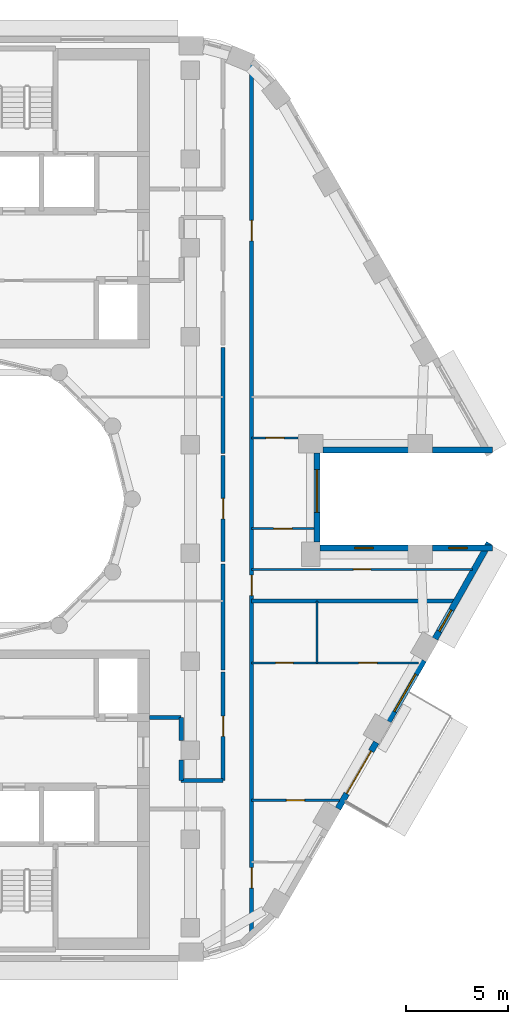
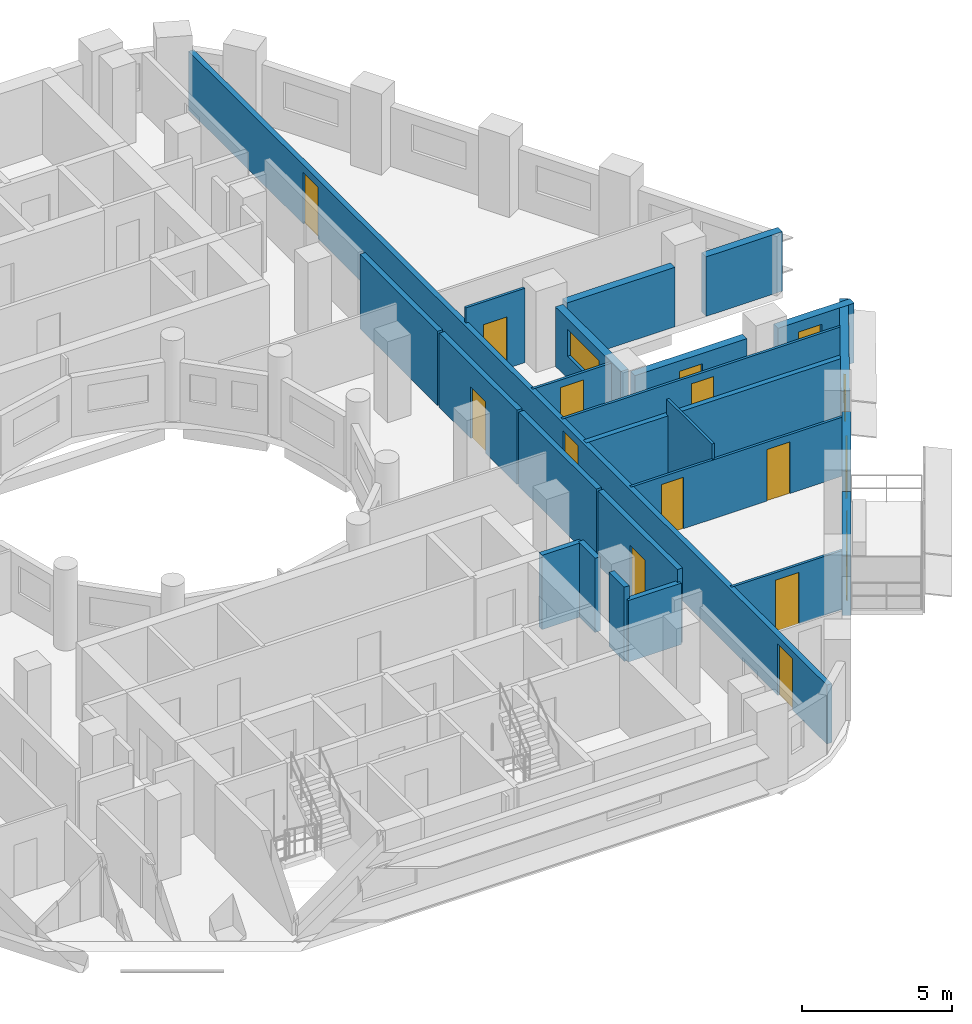
# One storey, part 6 of 15: 24 walls, 12 doors, 5 windows, 17 openings.
"""IFC4 building model written with IfcOpenShell, lengths in metres."""

from ifc_helpers import new_model, si_unit, direction, frame, frame_2d, origin, place, context, subcontext, project, spatial, rectangle, extrude, material, layer, layer_set, type_object, element, fill, save


model = new_model("IFC4")

# Units and contexts
model_context = context("Model", 3, precision=1e-05, world=origin(), true_north=direction((0.0, 1.0)))
body_context = subcontext(model_context, "Body", "Model", "MODEL_VIEW")
ifc_project = project(units=[si_unit("LENGTHUNIT", "METRE"), si_unit("AREAUNIT", "SQUARE_METRE"), si_unit("VOLUMEUNIT", "CUBIC_METRE"), si_unit("PLANEANGLEUNIT", "RADIAN"), si_unit("MASSUNIT", "GRAM", prefix="KILO")], contexts=[model_context])

# Site, building, storey
site_placement = place(None, origin())
site = spatial("IfcSite", under=ifc_project, at=site_placement, CompositionType="ELEMENT")
building_placement = place(site_placement, origin())
building = spatial("IfcBuilding", under=site, at=building_placement, Name="Nakaniwa Court", CompositionType="ELEMENT")
storey_placement = place(building_placement, frame((0.0, 0.0, 189.89990234375)))
storey = spatial("IfcBuildingStorey", under=building, at=storey_placement, Name="L49", CompositionType="ELEMENT", Elevation=189.89990234375)

# Wall, opening, door
ifc_material_1 = material(Name="Acoustic double stud partition")
ifc_layer_1 = layer(ifc_material_1, 0.199951171875)
ifc_layer_set_1 = layer_set([ifc_layer_1], Name="Acoustic double stud partition")
wall_type_1 = type_object("IfcWallType", Name="Acoustic double stud partition 200", PredefinedType="PARTITIONING", material=ifc_layer_set_1)
wall_1_placement = place(storey_placement, frame((91.60009765625, 66.22509765625, 0.0), z_axis=(0.0, 0.0, 1.0), x_axis=(0.0, 1.0, 0.0)))
wall_1 = element("IfcWall", 1, at=wall_1_placement, inside=storey, type_object=wall_type_1, Name="Partition PW-068", PredefinedType="PARTITIONING", context=body_context, shape_type="SweptSolid", body=[
    extrude(rectangle(XDim=5.297607421875, YDim=0.199951171875, at=frame_2d((2.64892578125, 0.0))), origin(), (0.0, 0.0, 1.0), 3.025146484375),
])
opening_1_placement = place(wall_1_placement, frame((2.14794921875, 0.0, 0.0)))
opening_1 = element("IfcOpeningElement", 2, at=opening_1_placement, cuts=wall_1, Name="Opening D-02-02", PredefinedType="OPENING", context=body_context, shape_type="SweptSolid", body=[
    extrude(rectangle(XDim=1.0, YDim=2.10009765625, at=frame_2d((0.5, 1.050048828125))), frame((0.0, 0.10986328125, 0.0), z_axis=(0.0, -1.0, 0.0), x_axis=(1.0, 0.0, 0.0)), (0.0, 0.0, 1.0), 0.219970703125),
])
ifc_material_2 = material(Name="Solid core timber door set, black veneer", Category="wood")
door_type_1 = type_object("IfcDoorType", Name="Internal door 1000", OperationType="NOTDEFINED", PredefinedType="DOOR", material=ifc_material_2)
door_1_placement = place(opening_1_placement, origin())
door_1 = element("IfcDoor", 3, at=door_1_placement, inside=storey, type_object=door_type_1, Name="Door D-02-02 L49-029", OperationType="SINGLE_SWING_RIGHT", OverallHeight=2.10009765625, OverallWidth=1.0, PredefinedType="DOOR", context=body_context, shape_type="SweptSolid", body=[
    extrude(rectangle(XDim=1.0, YDim=2.10009765625, at=frame_2d((0.5, 1.050048828125))), frame((0.0, 0.02490234375, 0.0), z_axis=(0.0, -1.0, 0.0), x_axis=(1.0, 0.0, 0.0)), (0.0, 0.0, 1.0), 0.050048828125),
])
fill(opening_1, door_1)

# Wall
wall_2_placement = place(storey_placement, frame((91.60009765625, 71.63720703125, 0.0), z_axis=(0.0, 0.0, 1.0), x_axis=(0.0, 1.0, 0.0)))
element("IfcWall", 4, at=wall_2_placement, inside=storey, type_object=wall_type_1, Name="Partition PW-069", PredefinedType="PARTITIONING", context=body_context, shape_type="SweptSolid", body=[
    extrude(rectangle(XDim=5.185546875, YDim=0.199951171875, at=frame_2d((2.5927734375, 0.0))), origin(), (0.0, 0.0, 1.0), 3.025146484375),
])

# Wall, opening, door
wall_3_placement = place(storey_placement, frame((91.60009765625, 76.937255859375, 0.0), z_axis=(0.0, 0.0, 1.0), x_axis=(0.0, 1.0, 0.0)))
wall_3 = element("IfcWall", 5, at=wall_3_placement, inside=storey, type_object=wall_type_1, Name="Partition PW-070", PredefinedType="PARTITIONING", context=body_context, shape_type="SweptSolid", body=[
    extrude(rectangle(XDim=5.185546875, YDim=0.199951171875, at=frame_2d((2.5927734375, 0.0))), origin(), (0.0, 0.0, 1.0), 3.025146484375),
])
opening_2_placement = place(wall_3_placement, frame((2.093017578125, 0.0, 0.0)))
opening_2 = element("IfcOpeningElement", 6, at=opening_2_placement, cuts=wall_3, Name="Opening D-02-03", PredefinedType="OPENING", context=body_context, shape_type="SweptSolid", body=[
    extrude(rectangle(XDim=1.0, YDim=2.10009765625, at=frame_2d((0.5, 1.050048828125))), frame((0.0, 0.10986328125, 0.0), z_axis=(0.0, -1.0, 0.0), x_axis=(1.0, 0.0, 0.0)), (0.0, 0.0, 1.0), 0.219970703125),
])
door_2_placement = place(opening_2_placement, origin())
door_2 = element("IfcDoor", 7, at=door_2_placement, inside=storey, type_object=door_type_1, Name="Door D-02-03 L49-030", OperationType="SINGLE_SWING_LEFT", OverallHeight=2.10009765625, OverallWidth=1.0, PredefinedType="DOOR", context=body_context, shape_type="SweptSolid", body=[
    extrude(rectangle(XDim=1.0, YDim=2.10009765625, at=frame_2d((0.5, 1.050048828125))), frame((0.0, 0.02490234375, 0.0), z_axis=(0.0, -1.0, 0.0), x_axis=(1.0, 0.0, 0.0)), (0.0, 0.0, 1.0), 0.050048828125),
])
fill(opening_2, door_2)

# Wall
wall_4_placement = place(storey_placement, frame((91.60009765625, 82.2373046875, 0.0), z_axis=(0.0, 0.0, 1.0), x_axis=(0.0, 1.0, 0.0)))
element("IfcWall", 8, at=wall_4_placement, inside=storey, type_object=wall_type_1, Name="Partition PW-071", PredefinedType="PARTITIONING", context=body_context, shape_type="SweptSolid", body=[
    extrude(rectangle(XDim=5.185546875, YDim=0.199951171875, at=frame_2d((2.5927734375, 0.0))), origin(), (0.0, 0.0, 1.0), 3.025146484375),
])

# Wall, openings, doors
wall_5_placement = place(storey_placement, frame((93.0, 101.28076171875, 0.0), z_axis=(0.0, 0.0, 1.0), x_axis=(0.0, -1.0, 0.0)))
wall_5 = element("IfcWall", 9, at=wall_5_placement, inside=storey, type_object=wall_type_1, Name="Partition PW-078", PredefinedType="PARTITIONING", context=body_context, shape_type="SweptSolid", body=[
    extrude(rectangle(XDim=42.6064453125, YDim=0.199951171875, at=frame_2d((21.30322265625, 0.0))), origin(), (0.0, 0.0, 1.0), 2.405029296875),
])
opening_3_placement = place(wall_5_placement, frame((39.330078125, 0.0, 0.0)))
opening_3 = element("IfcOpeningElement", 10, at=opening_3_placement, cuts=wall_5, Name="Opening D-01-01", PredefinedType="OPENING", context=body_context, shape_type="SweptSolid", body=[
    extrude(rectangle(XDim=1.0, YDim=2.10009765625, at=frame_2d((0.5, 1.050048828125))), frame((0.0, 0.10986328125, 0.0), z_axis=(0.0, -1.0, 0.0), x_axis=(1.0, 0.0, 0.0)), (0.0, 0.0, 1.0), 0.219970703125),
])
opening_4_placement = place(wall_5_placement, frame((25.0048828125, 0.0, 0.0)))
opening_4 = element("IfcOpeningElement", 11, at=opening_4_placement, cuts=wall_5, Name="Opening D-01-02", PredefinedType="OPENING", context=body_context, shape_type="SweptSolid", body=[
    extrude(rectangle(XDim=1.0, YDim=2.10009765625, at=frame_2d((0.5, 1.050048828125))), frame((0.0, 0.10986328125, 0.0), z_axis=(0.0, -1.0, 0.0), x_axis=(1.0, 0.0, 0.0)), (0.0, 0.0, 1.0), 0.219970703125),
])
opening_5_placement = place(wall_5_placement, frame((7.64306640625, 0.0, 0.0)))
opening_5 = element("IfcOpeningElement", 12, at=opening_5_placement, cuts=wall_5, Name="Opening D-02-04", PredefinedType="OPENING", context=body_context, shape_type="SweptSolid", body=[
    extrude(rectangle(XDim=1.0, YDim=2.10009765625, at=frame_2d((0.5, 1.050048828125))), frame((0.0, 0.10986328125, 0.0), z_axis=(0.0, -1.0, 0.0), x_axis=(1.0, 0.0, 0.0)), (0.0, 0.0, 1.0), 0.219970703125),
])
door_type_2 = type_object("IfcDoorType", Name="Flat entrance door 1000", OperationType="NOTDEFINED", PredefinedType="DOOR", material=ifc_material_2)
door_3_placement = place(opening_3_placement, origin())
door_3 = element("IfcDoor", 13, at=door_3_placement, inside=storey, type_object=door_type_2, Name="Door D-01-01 L49-024", OperationType="SINGLE_SWING_LEFT", OverallHeight=2.10009765625, OverallWidth=1.0, PredefinedType="DOOR", context=body_context, shape_type="SweptSolid", body=[
    extrude(rectangle(XDim=1.0, YDim=2.10009765625, at=frame_2d((0.5, 1.050048828125))), frame((0.0, 0.02490234375, 0.0), z_axis=(0.0, -1.0, 0.0), x_axis=(1.0, 0.0, 0.0)), (0.0, 0.0, 1.0), 0.050048828125),
])
fill(opening_3, door_3)
door_4_placement = place(opening_4_placement, origin())
door_4 = element("IfcDoor", 14, at=door_4_placement, inside=storey, type_object=door_type_2, Name="Door D-01-02 L49-031", OperationType="SINGLE_SWING_RIGHT", OverallHeight=2.10009765625, OverallWidth=1.0, PredefinedType="DOOR", context=body_context, shape_type="SweptSolid", body=[
    extrude(rectangle(XDim=1.0, YDim=2.10009765625, at=frame_2d((0.5, 1.050048828125))), frame((0.0, 0.02490234375, 0.0), z_axis=(0.0, -1.0, 0.0), x_axis=(1.0, 0.0, 0.0)), (0.0, 0.0, 1.0), 0.050048828125),
])
fill(opening_4, door_4)
door_5_placement = place(opening_5_placement, origin())
door_5 = element("IfcDoor", 15, at=door_5_placement, inside=storey, type_object=door_type_1, Name="Door D-02-04 L49-035", OperationType="SINGLE_SWING_RIGHT", OverallHeight=2.10009765625, OverallWidth=1.0, PredefinedType="DOOR", context=body_context, shape_type="SweptSolid", body=[
    extrude(rectangle(XDim=1.0, YDim=2.10009765625, at=frame_2d((0.5, 1.050048828125))), frame((0.0, 0.02490234375, 0.0), z_axis=(0.0, -1.0, 0.0), x_axis=(1.0, 0.0, 0.0)), (0.0, 0.0, 1.0), 0.050048828125),
])
fill(opening_5, door_5)

# Walls
wall_6_placement = place(storey_placement, frame((88.0, 69.300048828125, 0.0), z_axis=(0.0, 0.0, 1.0), x_axis=(1.0, 0.0, 0.0)))
element("IfcWall", 16, at=wall_6_placement, inside=storey, type_object=wall_type_1, Name="Partition PW-080", PredefinedType="PARTITIONING", context=body_context, shape_type="SweptSolid", body=[
    extrude(rectangle(XDim=1.550048828125, YDim=0.199951171875, at=frame_2d((0.77490234375, 0.0))), origin(), (0.0, 0.0, 1.0), 3.025146484375),
])
wall_7_placement = place(storey_placement, frame((89.550048828125, 66.22509765625, 0.0), z_axis=(0.0, 0.0, 1.0), x_axis=(0.0, 1.0, 0.0)))
element("IfcWall", 17, at=wall_7_placement, inside=storey, type_object=wall_type_1, Name="Partition PW-081", PredefinedType="PARTITIONING", context=body_context, shape_type="SweptSolid", body=[
    extrude(rectangle(XDim=1.0078125, YDim=0.199951171875, at=frame_2d((0.50390625, 0.0))), origin(), (0.0, 0.0, 1.0), 3.025146484375),
])
wall_8_placement = place(storey_placement, frame((89.550048828125, 68.167236328125, 0.0), z_axis=(0.0, 0.0, 1.0), x_axis=(0.0, 1.0, 0.0)))
element("IfcWall", 18, at=wall_8_placement, inside=storey, type_object=wall_type_1, Name="Partition PW-082", PredefinedType="PARTITIONING", context=body_context, shape_type="SweptSolid", body=[
    extrude(rectangle(XDim=1.1328125, YDim=0.199951171875, at=frame_2d((0.56640625, 0.0))), origin(), (0.0, 0.0, 1.0), 3.025146484375),
])
wall_9_placement = place(storey_placement, frame((89.550048828125, 66.22509765625, 0.0), z_axis=(0.0, 0.0, 1.0), x_axis=(1.0, 0.0, 0.0)))
element("IfcWall", 19, at=wall_9_placement, inside=storey, type_object=wall_type_1, Name="Partition PW-086", PredefinedType="PARTITIONING", context=body_context, shape_type="SweptSolid", body=[
    extrude(rectangle(XDim=2.050048828125, YDim=0.199951171875, at=frame_2d((1.02490234375, 0.0))), origin(), (0.0, 0.0, 1.0), 2.505126953125),
])
wall_10_placement = place(storey_placement, frame((93.001220703125, 75.0, 0.0), z_axis=(0.0, 0.0, 1.0), x_axis=(1.0, 0.0, 0.0)))
element("IfcWall", 20, at=wall_10_placement, inside=storey, type_object=wall_type_1, Name="Partition PW-116", PredefinedType="PARTITIONING", context=body_context, shape_type="SweptSolid", body=[
    extrude(rectangle(XDim=9.91943359375, YDim=0.199951171875, at=frame_2d((4.959716796875, 0.0))), origin(), (0.0, 0.0, 1.0), 2.405029296875),
])
ifc_material_3 = material(Name="Charcoal ceramic cladding")
ifc_layer_2 = layer(ifc_material_3, 0.02, Name="Ceramic cladding")
ifc_material_4 = material(Name="Ventilated air cavity")
ifc_layer_3 = layer(ifc_material_4, 0.04, ventilated=True, Name="Ventilated cavity")
ifc_material_5 = material(Name="Mineral wool insulation")
ifc_layer_4 = layer(ifc_material_5, 0.1, Name="Insulation")
ifc_material_6 = material(Name="Cement bonded sheathing board")
ifc_layer_5 = layer(ifc_material_6, 0.012, Name="Sheathing")
ifc_material_7 = material(Name="Cold-formed galvanised stud frame with mineral wool infill")
ifc_layer_6 = layer(ifc_material_7, 0.1, Name="Stud frame")
ifc_material_8 = material(Name="Fire-rated gypsum plasterboard lining")
ifc_layer_7 = layer(ifc_material_8, 0.028, Name="Lining")
ifc_layer_set_2 = layer_set([ifc_layer_2, ifc_layer_3, ifc_layer_4, ifc_layer_5, ifc_layer_6, ifc_layer_7], Name="Charcoal ceramic faced external wall system")
wall_type_2 = type_object("IfcWallType", Name="Black ceramic faced external wall 300", PredefinedType="SOLIDWALL", material=ifc_layer_set_2)
wall_11_placement = place(storey_placement, frame((96.49560546875, 82.39990234375, 0.0), z_axis=(0.0, 0.0, 1.0), x_axis=(1.0, 0.0, 0.0)))
element("IfcWall", 21, at=wall_11_placement, inside=storey, type_object=wall_type_2, Name="L49 external wall 00", PredefinedType="SOLIDWALL", context=body_context, shape_type="SweptSolid", body=[
    extrude(rectangle(XDim=4.17236328125, YDim=0.300048828125, at=frame_2d((2.086181640625, 0.0))), origin(), (0.0, 0.0, 1.0), 2.425048828125),
])
wall_12_placement = place(storey_placement, frame((101.860107421875, 82.39990234375, 0.0), z_axis=(0.0, 0.0, 1.0), x_axis=(1.0, 0.0, 0.0)))
element("IfcWall", 22, at=wall_12_placement, inside=storey, type_object=wall_type_2, Name="L49 external wall 01", PredefinedType="SOLIDWALL", context=body_context, shape_type="SweptSolid", body=[
    extrude(rectangle(XDim=2.937744140625, YDim=0.300048828125, at=frame_2d((1.46875, 0.0))), origin(), (0.0, 0.0, 1.0), 2.425048828125),
])

# Wall, opening, door
wall_13_placement = place(storey_placement, frame((97.22900390625, 64.841552734375, 0.0), z_axis=(0.0, 0.0, 1.0), x_axis=(0.500059225181, 0.86599120741, 0.0)))
wall_13 = element("IfcWall", 23, at=wall_13_placement, inside=storey, type_object=wall_type_2, Name="L49 external wall 30", PredefinedType="SOLIDWALL", context=body_context, shape_type="SweptSolid", body=[
    extrude(rectangle(XDim=3.744140625, YDim=0.300048828125, at=frame_2d((1.8720703125, 0.0))), origin(), (0.0, 0.0, 1.0), 2.425048828125),
])
opening_6_placement = place(wall_13_placement, frame((0.847412109375, 0.0, 0.0)))
opening_6 = element("IfcOpeningElement", 24, at=opening_6_placement, cuts=wall_13, Name="Opening XD13.02", PredefinedType="OPENING", context=body_context, shape_type="SweptSolid", body=[
    extrude(rectangle(XDim=2.39990234375, YDim=2.0, at=frame_2d((1.199951171875, 1.0))), frame((0.0, 0.159912109375, 0.0), z_axis=(0.0, -1.0, 0.0), x_axis=(1.0, 0.0, 0.0)), (0.0, 0.0, 1.0), 0.320068359375),
])
ifc_material_9 = material(Name="Black powder-coated aluminium frame with dark laminated glass", Category="aluminium")
door_type_3 = type_object("IfcDoorType", Name="Balcony sliding door 2400x2000", OperationType="DOUBLE_DOOR_SLIDING", PredefinedType="DOOR", material=ifc_material_9)
door_6_placement = place(opening_6_placement, origin())
door_6 = element("IfcDoor", 25, at=door_6_placement, inside=storey, type_object=door_type_3, Name="L49 balcony sliding door 02", OperationType="DOUBLE_DOOR_SLIDING", OverallHeight=2.0, OverallWidth=2.39990234375, PredefinedType="DOOR", context=body_context, shape_type="SweptSolid", body=[
    extrude(rectangle(XDim=2.39990234375, YDim=2.0, at=frame_2d((1.199951171875, 1.0))), frame((0.0, 0.02490234375, 0.0), z_axis=(0.0, -1.0, 0.0), x_axis=(1.0, 0.0, 0.0)), (0.0, 0.0, 1.0), 0.050048828125),
])
fill(opening_6, door_6)

# Wall, opening, window
wall_14_placement = place(storey_placement, frame((99.697265625, 69.116455078125, 0.0), z_axis=(0.0, 0.0, 1.0), x_axis=(0.499955427682, 0.866051136095, 0.0)))
wall_14 = element("IfcWall", 26, at=wall_14_placement, inside=storey, type_object=wall_type_2, Name="L49 external wall 31", PredefinedType="SOLIDWALL", context=body_context, shape_type="SweptSolid", body=[
    extrude(rectangle(XDim=3.447021484375, YDim=0.300048828125, at=frame_2d((1.7236328125, 0.0))), origin(), (0.0, 0.0, 1.0), 2.425048828125),
])
opening_7_placement = place(wall_14_placement, frame((0.56298828125, 0.0, 0.89990234375)))
opening_7 = element("IfcOpeningElement", 27, at=opening_7_placement, cuts=wall_14, Name="Opening W7.31", PredefinedType="OPENING", context=body_context, shape_type="SweptSolid", body=[
    extrude(rectangle(XDim=2.10009765625, YDim=1.10009765625, at=frame_2d((1.050048828125, 0.550048828125))), frame((0.0, 0.159912109375, 0.0), z_axis=(0.0, -1.0, 0.0), x_axis=(1.0, 0.0, 0.0)), (0.0, 0.0, 1.0), 0.320068359375),
])
ifc_material_10 = material(Name="Black anodised aluminium frame with dark low-E laminated double glazing", Category="aluminium")
window_type_1 = type_object("IfcWindowType", Name="Dark glass window 2100x1100 sill 900", PartitioningType="SINGLE_PANEL", PredefinedType="WINDOW", material=ifc_material_10)
window_1_placement = place(opening_7_placement, origin())
window_1 = element("IfcWindow", 28, at=window_1_placement, inside=storey, type_object=window_type_1, Name="L49 living window 31-0", OverallHeight=1.10009765625, OverallWidth=2.10009765625, PartitioningType="SINGLE_PANEL", PredefinedType="WINDOW", context=body_context, shape_type="SweptSolid", body=[
    extrude(rectangle(XDim=2.10009765625, YDim=1.10009765625, at=frame_2d((1.050048828125, 0.550048828125))), frame((0.0, 0.030029296875, 0.0), z_axis=(0.0, -1.0, 0.0), x_axis=(1.0, 0.0, 0.0)), (0.0, 0.0, 1.0), 0.06005859375),
])
fill(opening_7, window_1)

wall_15_placement = place(storey_placement, frame((101.976806640625, 73.156982421875, 0.0), z_axis=(0.0, 0.0, 1.0), x_axis=(0.492033360928, 0.870576344575, 0.0)))
wall_15 = element("IfcWall", 29, at=wall_15_placement, inside=storey, type_object=wall_type_2, Name="L49 external wall 32", PredefinedType="SOLIDWALL", context=body_context, shape_type="SweptSolid", body=[
    extrude(rectangle(XDim=5.38671875, YDim=0.300048828125, at=frame_2d((2.693359375, 0.0))), origin(), (0.0, 0.0, 1.0), 2.425048828125),
])
opening_8_placement = place(wall_15_placement, frame((0.42333984375, 0.0, 0.89990234375)))
opening_8 = element("IfcOpeningElement", 30, at=opening_8_placement, cuts=wall_15, Name="Opening W6.32", PredefinedType="OPENING", context=body_context, shape_type="SweptSolid", body=[
    extrude(rectangle(XDim=1.199951171875, YDim=1.10009765625, at=frame_2d((0.60009765625, 0.550048828125))), frame((0.0, 0.159912109375, 0.0), z_axis=(0.0, -1.0, 0.0), x_axis=(1.0, 0.0, 0.0)), (0.0, 0.0, 1.0), 0.320068359375),
])
window_type_2 = type_object("IfcWindowType", Name="Dark glass window 1200x1100 sill 900", PartitioningType="SINGLE_PANEL", PredefinedType="WINDOW", material=ifc_material_10)
window_2_placement = place(opening_8_placement, origin())
window_2 = element("IfcWindow", 31, at=window_2_placement, inside=storey, type_object=window_type_2, Name="L49 habitable room window 32-0", OverallHeight=1.10009765625, OverallWidth=1.199951171875, PartitioningType="SINGLE_PANEL", PredefinedType="WINDOW", context=body_context, shape_type="SweptSolid", body=[
    extrude(rectangle(XDim=1.199951171875, YDim=1.10009765625, at=frame_2d((0.60009765625, 0.550048828125))), frame((0.0, 0.030029296875, 0.0), z_axis=(0.0, -1.0, 0.0), x_axis=(1.0, 0.0, 0.0)), (0.0, 0.0, 1.0), 0.06005859375),
])
fill(opening_8, window_2)

wall_16_placement = place(storey_placement, frame((104.7978515625, 77.60009765625, 0.0), z_axis=(0.0, 0.0, 1.0), x_axis=(-1.0, 0.0, 0.0)))
wall_16 = element("IfcWall", 32, at=wall_16_placement, inside=storey, type_object=wall_type_2, Name="L49 external wall 33", PredefinedType="SOLIDWALL", context=body_context, shape_type="SweptSolid", body=[
    extrude(rectangle(XDim=2.937744140625, YDim=0.300048828125, at=frame_2d((1.46875, 0.0))), origin(), (0.0, 0.0, 1.0), 2.425048828125),
])
opening_9_placement = place(wall_16_placement, frame((1.243896484375, 0.0, 1.5)))
opening_9 = element("IfcOpeningElement", 33, at=opening_9_placement, cuts=wall_16, Name="Opening W10.33", PredefinedType="OPENING", context=body_context, shape_type="SweptSolid", body=[
    extrude(rectangle(XDim=0.89990234375, YDim=0.5, at=frame_2d((0.449951171875, 0.25))), frame((0.0, 0.159912109375, 0.0), z_axis=(0.0, -1.0, 0.0), x_axis=(1.0, 0.0, 0.0)), (0.0, 0.0, 1.0), 0.320068359375),
])
window_type_3 = type_object("IfcWindowType", Name="Dark glass window 900x500 sill 1500", PartitioningType="SINGLE_PANEL", PredefinedType="WINDOW", material=ifc_material_10)
window_3_placement = place(opening_9_placement, origin())
window_3 = element("IfcWindow", 34, at=window_3_placement, inside=storey, type_object=window_type_3, Name="L49 bathroom window 33-0", OverallHeight=0.5, OverallWidth=0.89990234375, PartitioningType="SINGLE_PANEL", PredefinedType="WINDOW", context=body_context, shape_type="SweptSolid", body=[
    extrude(rectangle(XDim=0.89990234375, YDim=0.5, at=frame_2d((0.449951171875, 0.25))), frame((0.0, 0.030029296875, 0.0), z_axis=(0.0, -1.0, 0.0), x_axis=(1.0, 0.0, 0.0)), (0.0, 0.0, 1.0), 0.06005859375),
])
fill(opening_9, window_3)

wall_17_placement = place(storey_placement, frame((100.66796875, 77.60009765625, 0.0), z_axis=(0.0, 0.0, 1.0), x_axis=(-1.0, 0.0, 0.0)))
wall_17 = element("IfcWall", 35, at=wall_17_placement, inside=storey, type_object=wall_type_2, Name="L49 external wall 34", PredefinedType="SOLIDWALL", context=body_context, shape_type="SweptSolid", body=[
    extrude(rectangle(XDim=4.322509765625, YDim=0.300048828125, at=frame_2d((2.1611328125, 0.0))), origin(), (0.0, 0.0, 1.0), 2.425048828125),
])
opening_10_placement = place(wall_17_placement, frame((1.711181640625, 0.0, 1.5)))
opening_10 = element("IfcOpeningElement", 36, at=opening_10_placement, cuts=wall_17, Name="Opening W10.34", PredefinedType="OPENING", context=body_context, shape_type="SweptSolid", body=[
    extrude(rectangle(XDim=0.89990234375, YDim=0.5, at=frame_2d((0.449951171875, 0.25))), frame((0.0, 0.159912109375, 0.0), z_axis=(0.0, -1.0, 0.0), x_axis=(1.0, 0.0, 0.0)), (0.0, 0.0, 1.0), 0.320068359375),
])
window_4_placement = place(opening_10_placement, origin())
window_4 = element("IfcWindow", 37, at=window_4_placement, inside=storey, type_object=window_type_3, Name="L49 bathroom window 34-0", OverallHeight=0.5, OverallWidth=0.89990234375, PartitioningType="SINGLE_PANEL", PredefinedType="WINDOW", context=body_context, shape_type="SweptSolid", body=[
    extrude(rectangle(XDim=0.89990234375, YDim=0.5, at=frame_2d((0.449951171875, 0.25))), frame((0.0, 0.030029296875, 0.0), z_axis=(0.0, -1.0, 0.0), x_axis=(1.0, 0.0, 0.0)), (0.0, 0.0, 1.0), 0.06005859375),
])
fill(opening_10, window_4)

wall_18_placement = place(storey_placement, frame((96.199462890625, 77.89599609375, 0.0), z_axis=(0.0, 0.0, 1.0), x_axis=(0.0, 1.0, 0.0)))
wall_18 = element("IfcWall", 38, at=wall_18_placement, inside=storey, type_object=wall_type_2, Name="L49 external wall 35", PredefinedType="SOLIDWALL", context=body_context, shape_type="SweptSolid", body=[
    extrude(rectangle(XDim=4.35791015625, YDim=0.300048828125, at=frame_2d((2.178955078125, 0.0))), origin(), (0.0, 0.0, 1.0), 2.425048828125),
])
opening_11_placement = place(wall_18_placement, frame((1.444580078125, 0.0, 0.89990234375)))
opening_11 = element("IfcOpeningElement", 39, at=opening_11_placement, cuts=wall_18, Name="Opening W7.35", PredefinedType="OPENING", context=body_context, shape_type="SweptSolid", body=[
    extrude(rectangle(XDim=2.10009765625, YDim=1.10009765625, at=frame_2d((1.050048828125, 0.550048828125))), frame((0.0, 0.159912109375, 0.0), z_axis=(0.0, -1.0, 0.0), x_axis=(1.0, 0.0, 0.0)), (0.0, 0.0, 1.0), 0.320068359375),
])
window_5_placement = place(opening_11_placement, origin())
window_5 = element("IfcWindow", 40, at=window_5_placement, inside=storey, type_object=window_type_1, Name="L49 living window 35-1", OverallHeight=1.10009765625, OverallWidth=2.10009765625, PartitioningType="SINGLE_PANEL", PredefinedType="WINDOW", context=body_context, shape_type="SweptSolid", body=[
    extrude(rectangle(XDim=2.10009765625, YDim=1.10009765625, at=frame_2d((1.050048828125, 0.550048828125))), frame((0.0, 0.030029296875, 0.0), z_axis=(0.0, -1.0, 0.0), x_axis=(1.0, 0.0, 0.0)), (0.0, 0.0, 1.0), 0.06005859375),
])
fill(opening_11, window_5)

# Wall, opening, door
ifc_material_11 = material(Name="Single stud plasterboard partition")
ifc_layer_8 = layer(ifc_material_11, 0.10009765625)
ifc_layer_set_3 = layer_set([ifc_layer_8], Name="Single stud plasterboard partition")
wall_type_3 = type_object("IfcWallType", Name="Single stud plasterboard partition 100", PredefinedType="PARTITIONING", material=ifc_layer_set_3)
wall_19_placement = place(storey_placement, frame((93.0009765625, 65.2509765625, 0.0), z_axis=(0.0, 0.0, 1.0), x_axis=(1.0, 0.0, 0.0)))
wall_19 = element("IfcWall", 41, at=wall_19_placement, inside=storey, type_object=wall_type_3, Name="Partition PW-113", PredefinedType="PARTITIONING", context=body_context, shape_type="SweptSolid", body=[
    extrude(rectangle(XDim=4.291015625, YDim=0.10009765625, at=frame_2d((2.1455078125, 0.0))), origin(), (0.0, 0.0, 1.0), 2.405029296875),
])
opening_12_placement = place(wall_19_placement, frame((1.696044921875, 0.0, 0.0)))
opening_12 = element("IfcOpeningElement", 42, at=opening_12_placement, cuts=wall_19, Name="Opening D-33-02", PredefinedType="OPENING", context=body_context, shape_type="SweptSolid", body=[
    extrude(rectangle(XDim=0.89990234375, YDim=2.10009765625, at=frame_2d((0.449951171875, 1.050048828125))), frame((0.0, 0.06005859375, 0.0), z_axis=(0.0, -1.0, 0.0), x_axis=(1.0, 0.0, 0.0)), (0.0, 0.0, 1.0), 0.1201171875),
])
door_type_4 = type_object("IfcDoorType", Name="Internal door 900", OperationType="NOTDEFINED", PredefinedType="DOOR", material=ifc_material_2)
door_7_placement = place(opening_12_placement, origin())
door_7 = element("IfcDoor", 43, at=door_7_placement, inside=storey, type_object=door_type_4, Name="Door D-33-02 L49-026", OperationType="SINGLE_SWING_LEFT", OverallHeight=2.10009765625, OverallWidth=0.89990234375, PredefinedType="DOOR", context=body_context, shape_type="SweptSolid", body=[
    extrude(rectangle(XDim=0.89990234375, YDim=2.10009765625, at=frame_2d((0.449951171875, 1.050048828125))), frame((0.0, 0.02490234375, 0.0), z_axis=(0.0, -1.0, 0.0), x_axis=(1.0, 0.0, 0.0)), (0.0, 0.0, 1.0), 0.050048828125),
])
fill(opening_12, door_7)

# Wall, openings, doors
wall_20_placement = place(storey_placement, frame((93.0009765625, 71.97412109375, 0.0), z_axis=(0.0, 0.0, 1.0), x_axis=(1.0, 0.0, 0.0)))
wall_20 = element("IfcWall", 44, at=wall_20_placement, inside=storey, type_object=wall_type_3, Name="Partition PW-114", PredefinedType="PARTITIONING", context=body_context, shape_type="SweptSolid", body=[
    extrude(rectangle(XDim=8.173095703125, YDim=0.10009765625, at=frame_2d((4.08642578125, 0.0))), origin(), (0.0, 0.0, 1.0), 2.405029296875),
])
opening_13_placement = place(wall_20_placement, frame((1.175048828125, 0.0, 0.0)))
opening_13 = element("IfcOpeningElement", 45, at=opening_13_placement, cuts=wall_20, Name="Opening D-03-01", PredefinedType="OPENING", context=body_context, shape_type="SweptSolid", body=[
    extrude(rectangle(XDim=0.85009765625, YDim=2.10009765625, at=frame_2d((0.425048828125, 1.050048828125))), frame((0.0, 0.06005859375, 0.0), z_axis=(0.0, -1.0, 0.0), x_axis=(1.0, 0.0, 0.0)), (0.0, 0.0, 1.0), 0.1201171875),
])
opening_14_placement = place(wall_20_placement, frame((5.236083984375, 0.0, 0.0)))
opening_14 = element("IfcOpeningElement", 46, at=opening_14_placement, cuts=wall_20, Name="Opening D-33-03", PredefinedType="OPENING", context=body_context, shape_type="SweptSolid", body=[
    extrude(rectangle(XDim=0.89990234375, YDim=2.10009765625, at=frame_2d((0.449951171875, 1.050048828125))), frame((0.0, 0.06005859375, 0.0), z_axis=(0.0, -1.0, 0.0), x_axis=(1.0, 0.0, 0.0)), (0.0, 0.0, 1.0), 0.1201171875),
])
ifc_material_12 = material(Name="Moisture sealed timber door set", Category="wood")
door_type_5 = type_object("IfcDoorType", Name="Bathroom door 850", OperationType="NOTDEFINED", PredefinedType="DOOR", material=ifc_material_12)
door_8_placement = place(opening_13_placement, origin())
door_8 = element("IfcDoor", 47, at=door_8_placement, inside=storey, type_object=door_type_5, Name="Door D-03-01 L49-027", OperationType="SINGLE_SWING_RIGHT", OverallHeight=2.10009765625, OverallWidth=0.85009765625, PredefinedType="DOOR", context=body_context, shape_type="SweptSolid", body=[
    extrude(rectangle(XDim=0.85009765625, YDim=2.10009765625, at=frame_2d((0.425048828125, 1.050048828125))), frame((0.0, 0.02490234375, 0.0), z_axis=(0.0, -1.0, 0.0), x_axis=(1.0, 0.0, 0.0)), (0.0, 0.0, 1.0), 0.050048828125),
])
fill(opening_13, door_8)
door_9_placement = place(opening_14_placement, origin())
door_9 = element("IfcDoor", 48, at=door_9_placement, inside=storey, type_object=door_type_4, Name="Door D-33-03 L49-028", OperationType="SINGLE_SWING_LEFT", OverallHeight=2.10009765625, OverallWidth=0.89990234375, PredefinedType="DOOR", context=body_context, shape_type="SweptSolid", body=[
    extrude(rectangle(XDim=0.89990234375, YDim=2.10009765625, at=frame_2d((0.449951171875, 1.050048828125))), frame((0.0, 0.02490234375, 0.0), z_axis=(0.0, -1.0, 0.0), x_axis=(1.0, 0.0, 0.0)), (0.0, 0.0, 1.0), 0.050048828125),
])
fill(opening_14, door_9)

# Wall
wall_21_placement = place(storey_placement, frame((96.200927734375, 71.974365234375, 0.0), z_axis=(0.0, 0.0, 1.0), x_axis=(0.0, 1.0, 0.0)))
element("IfcWall", 49, at=wall_21_placement, inside=storey, type_object=wall_type_3, Name="Partition PW-115", PredefinedType="PARTITIONING", context=body_context, shape_type="SweptSolid", body=[
    extrude(rectangle(XDim=3.025634765625, YDim=0.10009765625, at=frame_2d((1.5126953125, 0.0))), origin(), (0.0, 0.0, 1.0), 3.025146484375),
])

# Wall, opening, door
wall_22_placement = place(storey_placement, frame((93.0009765625, 76.550048828125, 0.0), z_axis=(0.0, 0.0, 1.0), x_axis=(1.0, 0.0, 0.0)))
wall_22 = element("IfcWall", 50, at=wall_22_placement, inside=storey, type_object=wall_type_3, Name="Partition PW-120", PredefinedType="PARTITIONING", context=body_context, shape_type="SweptSolid", body=[
    extrude(rectangle(XDim=10.81494140625, YDim=0.10009765625, at=frame_2d((5.407470703125, 0.0))), origin(), (0.0, 0.0, 1.0), 2.405029296875),
])
opening_15_placement = place(wall_22_placement, frame((4.98193359375, 0.0, 0.0)))
opening_15 = element("IfcOpeningElement", 51, at=opening_15_placement, cuts=wall_22, Name="Opening D-03-02", PredefinedType="OPENING", context=body_context, shape_type="SweptSolid", body=[
    extrude(rectangle(XDim=0.85009765625, YDim=2.10009765625, at=frame_2d((0.425048828125, 1.050048828125))), frame((0.0, 0.06005859375, 0.0), z_axis=(0.0, -1.0, 0.0), x_axis=(1.0, 0.0, 0.0)), (0.0, 0.0, 1.0), 0.1201171875),
])
door_10_placement = place(opening_15_placement, origin())
door_10 = element("IfcDoor", 52, at=door_10_placement, inside=storey, type_object=door_type_5, Name="Door D-03-02 L49-032", OperationType="SINGLE_SWING_LEFT", OverallHeight=2.10009765625, OverallWidth=0.85009765625, PredefinedType="DOOR", context=body_context, shape_type="SweptSolid", body=[
    extrude(rectangle(XDim=0.85009765625, YDim=2.10009765625, at=frame_2d((0.425048828125, 1.050048828125))), frame((0.0, 0.02490234375, 0.0), z_axis=(0.0, -1.0, 0.0), x_axis=(1.0, 0.0, 0.0)), (0.0, 0.0, 1.0), 0.050048828125),
])
fill(opening_15, door_10)

wall_23_placement = place(storey_placement, frame((93.0009765625, 78.551025390625, 0.0), z_axis=(0.0, 0.0, 1.0), x_axis=(1.0, 0.0, 0.0)))
wall_23 = element("IfcWall", 53, at=wall_23_placement, inside=storey, type_object=wall_type_3, Name="Partition PW-121", PredefinedType="PARTITIONING", context=body_context, shape_type="SweptSolid", body=[
    extrude(rectangle(XDim=3.048583984375, YDim=0.10009765625, at=frame_2d((1.5244140625, 0.0))), origin(), (0.0, 0.0, 1.0), 2.405029296875),
])
opening_16_placement = place(wall_23_placement, frame((1.073974609375, 0.0, 0.0)))
opening_16 = element("IfcOpeningElement", 54, at=opening_16_placement, cuts=wall_23, Name="Opening D-33-04", PredefinedType="OPENING", context=body_context, shape_type="SweptSolid", body=[
    extrude(rectangle(XDim=0.89990234375, YDim=2.10009765625, at=frame_2d((0.449951171875, 1.050048828125))), frame((0.0, 0.06005859375, 0.0), z_axis=(0.0, -1.0, 0.0), x_axis=(1.0, 0.0, 0.0)), (0.0, 0.0, 1.0), 0.1201171875),
])
door_11_placement = place(opening_16_placement, origin())
door_11 = element("IfcDoor", 55, at=door_11_placement, inside=storey, type_object=door_type_4, Name="Door D-33-04 L49-033", OperationType="SINGLE_SWING_RIGHT", OverallHeight=2.10009765625, OverallWidth=0.89990234375, PredefinedType="DOOR", context=body_context, shape_type="SweptSolid", body=[
    extrude(rectangle(XDim=0.89990234375, YDim=2.10009765625, at=frame_2d((0.449951171875, 1.050048828125))), frame((0.0, 0.02490234375, 0.0), z_axis=(0.0, -1.0, 0.0), x_axis=(1.0, 0.0, 0.0)), (0.0, 0.0, 1.0), 0.050048828125),
])
fill(opening_16, door_11)

wall_24_placement = place(storey_placement, frame((93.0009765625, 82.9990234375, 0.0), z_axis=(0.0, 0.0, 1.0), x_axis=(1.0, 0.0, 0.0)))
wall_24 = element("IfcWall", 56, at=wall_24_placement, inside=storey, type_object=wall_type_3, Name="Partition PW-122", PredefinedType="PARTITIONING", context=body_context, shape_type="SweptSolid", body=[
    extrude(rectangle(XDim=2.278564453125, YDim=0.10009765625, at=frame_2d((1.13916015625, 0.0))), origin(), (0.0, 0.0, 1.0), 3.025146484375),
])
opening_17_placement = place(wall_24_placement, frame((0.68896484375, 0.0, 0.0)))
opening_17 = element("IfcOpeningElement", 57, at=opening_17_placement, cuts=wall_24, Name="Opening D-33-05", PredefinedType="OPENING", context=body_context, shape_type="SweptSolid", body=[
    extrude(rectangle(XDim=0.89990234375, YDim=2.10009765625, at=frame_2d((0.449951171875, 1.050048828125))), frame((0.0, 0.06005859375, 0.0), z_axis=(0.0, -1.0, 0.0), x_axis=(1.0, 0.0, 0.0)), (0.0, 0.0, 1.0), 0.1201171875),
])
door_12_placement = place(opening_17_placement, origin())
door_12 = element("IfcDoor", 58, at=door_12_placement, inside=storey, type_object=door_type_4, Name="Door D-33-05 L49-034", OperationType="SINGLE_SWING_LEFT", OverallHeight=2.10009765625, OverallWidth=0.89990234375, PredefinedType="DOOR", context=body_context, shape_type="SweptSolid", body=[
    extrude(rectangle(XDim=0.89990234375, YDim=2.10009765625, at=frame_2d((0.449951171875, 1.050048828125))), frame((0.0, 0.02490234375, 0.0), z_axis=(0.0, -1.0, 0.0), x_axis=(1.0, 0.0, 0.0)), (0.0, 0.0, 1.0), 0.050048828125),
])
fill(opening_17, door_12)

save(model, "model.ifc")
